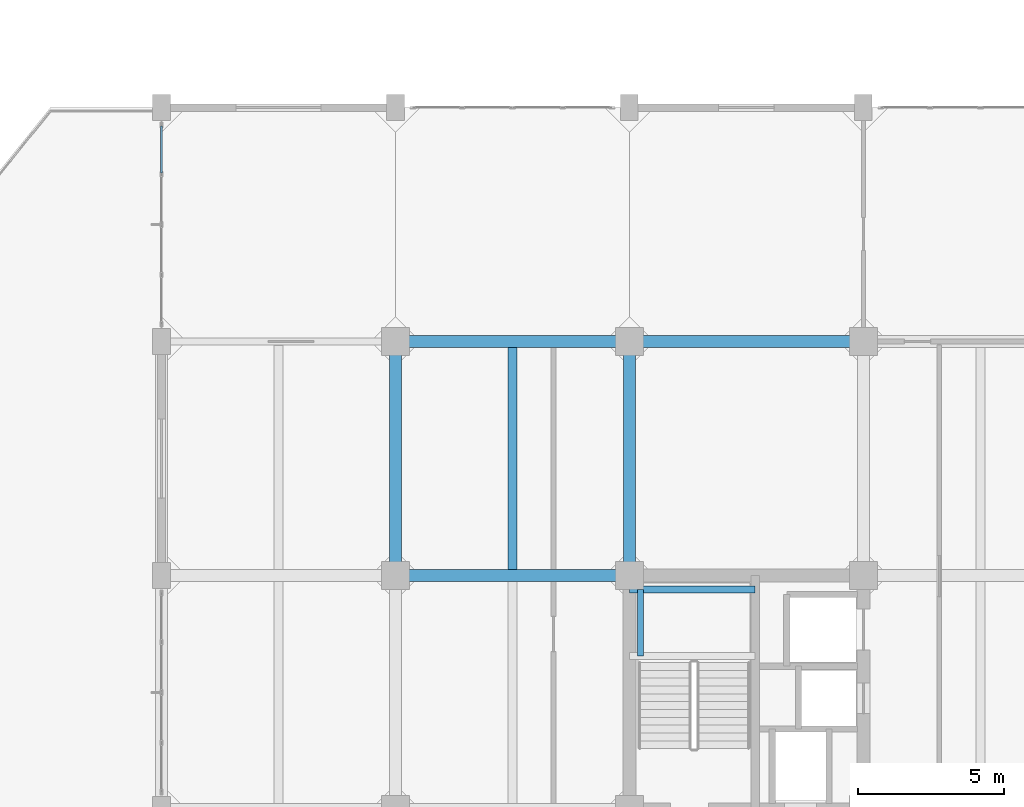
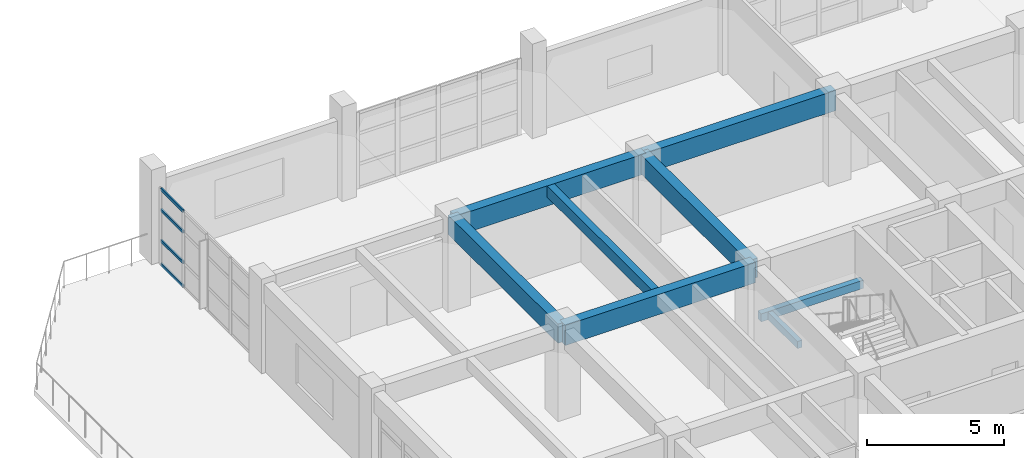
# One storey, part 10 of 35: 8 beams, 4 members, 1 element without a shape of its own.
"""IFC4 building model written with IfcOpenShell, lengths in metres."""

from ifc_helpers import new_model, si_unit, direction, frame, origin, origin_2d, place, context, subcontext, project, spatial, rectangle, hollow_rectangle, extrude, material, layer, layer_set, material_profile, profile_set, type_object, element, aggregate, save


model = new_model("IFC4")

# Units and contexts
model_context = context("Model", 3, precision=1e-05, world=origin(), true_north=direction((0.0, 1.0)))
body_context = subcontext(model_context, "Body", "Model", "MODEL_VIEW")
ifc_project = project(units=[si_unit("LENGTHUNIT", "METRE"), si_unit("AREAUNIT", "SQUARE_METRE"), si_unit("VOLUMEUNIT", "CUBIC_METRE"), si_unit("PLANEANGLEUNIT", "RADIAN"), si_unit("MASSUNIT", "GRAM", prefix="KILO")], contexts=[model_context])

# Site, building, storey
site_placement = place(None, origin())
site = spatial("IfcSite", under=ifc_project, at=site_placement, CompositionType="ELEMENT")
building_placement = place(site_placement, origin())
building = spatial("IfcBuilding", under=site, at=building_placement, Name="Canggui Botanical Conservatory", CompositionType="ELEMENT")
storey_placement = place(building_placement, frame((0.0, 0.0, 15.0)))
storey = spatial("IfcBuildingStorey", under=building, at=storey_placement, Name="L04", CompositionType="ELEMENT", Elevation=15.0)

# Beams
ifc_material_1 = material(Name="Concrete C35", Category="concrete")
ifc_material_profile_1 = material_profile(ifc_material_1, rectangle(XDim=0.300048828125, YDim=0.5, at=origin_2d()), Name="RB 300x500")
ifc_profile_set_1 = profile_set([ifc_material_profile_1], Name="Concrete C35")
beam_type_1 = type_object("IfcBeamType", Name="BM-JST02", PredefinedType="JOIST", material=ifc_profile_set_1)
beam_1_placement = place(storey_placement, frame((150.0, 66.205078125, 3.699951171875), z_axis=(0.0, 1.0, 0.0), x_axis=(-1.0, 0.0, 0.0)))
element("IfcBeam", 1, at=beam_1_placement, inside=storey, type_object=beam_type_1, Name="Secondary Floor Joist L04-2-6", PredefinedType="JOIST", context=body_context, shape_type="SweptSolid", body=[
    extrude(rectangle(XDim=0.300048828125, YDim=0.5, at=origin_2d()), origin(), (0.0, 0.0, 1.0), 7.58984375),
])
ifc_material_profile_2 = material_profile(ifc_material_1, rectangle(XDim=0.39990234375, YDim=0.89990234375, at=origin_2d()), Name="RB 400x900")
ifc_profile_set_2 = profile_set([ifc_material_profile_2], Name="Concrete C35")
beam_type_2 = type_object("IfcBeamType", Name="BM-KL07", PredefinedType="BEAM", material=ifc_profile_set_2)
for number, where, z_axis, x_axis, name in (
    (2, (146.0, 66.0, 3.5), (1.0, 0.0, 0.0), (0.0, 1.0, 0.0), "Frame Girder L04 Y66-2"),
    (3, (146.0, 74.0, 3.5), (1.0, 0.0, 0.0), (0.0, 1.0, 0.0), "Frame Girder L04 Y74-2"),
    (4, (154.0, 74.0, 3.5), (1.0, 0.0, 0.0), (0.0, 1.0, 0.0), "Frame Girder L04 Y74-3"),
):
    element("IfcBeam", number, at=place(storey_placement, frame(where, z_axis=z_axis, x_axis=x_axis)), inside=storey, type_object=beam_type_2, Name=name, PredefinedType="BEAM", context=body_context, shape_type="SweptSolid", body=[
        extrude(rectangle(XDim=0.39990234375, YDim=0.89990234375, at=origin_2d()), origin(), (0.0, 0.0, 1.0), 8.0),
    ])
ifc_material_profile_3 = material_profile(ifc_material_1, rectangle(XDim=0.39990234375, YDim=0.85009765625, at=origin_2d()), Name="RB 400x850")
ifc_profile_set_3 = profile_set([ifc_material_profile_3], Name="Concrete C35")
beam_type_3 = type_object("IfcBeamType", Name="BM-KL08", PredefinedType="BEAM", material=ifc_profile_set_3)
for number, where, z_axis, x_axis, name in (
    (5, (146.0, 66.0, 3.52490234375), (0.0, 1.0, 0.0), (-1.0, 0.0, 0.0), "Frame Girder L04 X146-6"),
    (6, (154.0, 66.0, 3.52490234375), (0.0, 1.0, 0.0), (-1.0, 0.0, 0.0), "Frame Girder L04 X154-6"),
):
    element("IfcBeam", number, at=place(storey_placement, frame(where, z_axis=z_axis, x_axis=x_axis)), inside=storey, type_object=beam_type_3, Name=name, PredefinedType="BEAM", context=body_context, shape_type="SweptSolid", body=[
        extrude(rectangle(XDim=0.39990234375, YDim=0.85009765625, at=origin_2d()), origin(), (0.0, 0.0, 1.0), 8.0),
    ])
ifc_material_profile_4 = material_profile(ifc_material_1, rectangle(XDim=0.239990234375, YDim=0.360107421875, at=origin_2d()), Name="RB 240x360")
ifc_profile_set_4 = profile_set([ifc_material_profile_4], Name="Concrete C35")
beam_type_4 = type_object("IfcBeamType", Name="BM-LIN01", PredefinedType="LINTEL", material=ifc_profile_set_4)
beam_2_placement = place(storey_placement, frame((154.0, 65.52001953125, 1.719970703125), z_axis=(1.0, 0.0, 0.0), x_axis=(0.0, 1.0, 0.0)))
element("IfcBeam", 7, at=beam_2_placement, inside=storey, type_object=beam_type_4, Name="ST-T2 Half-Landing Ledger Beam L04-1.2", PredefinedType="LINTEL", context=body_context, shape_type="SweptSolid", body=[
    extrude(rectangle(XDim=0.239990234375, YDim=0.360107421875, at=origin_2d()), origin(), (0.0, 0.0, 1.0), 4.300048828125),
])
ifc_material_profile_5 = material_profile(ifc_material_1, rectangle(XDim=0.199951171875, YDim=0.320068359375, at=origin_2d()), Name="RB 200x320")
ifc_profile_set_5 = profile_set([ifc_material_profile_5], Name="Concrete C35")
beam_type_5 = type_object("IfcBeamType", Name="BM-LIN02", PredefinedType="LINTEL", material=ifc_profile_set_5)
beam_3_placement = place(storey_placement, frame((154.3798828125, 63.24755859375, 1.719970703125), z_axis=(0.0, 1.0, 0.0), x_axis=(-1.0, 0.0, 0.0)))
element("IfcBeam", 8, at=beam_3_placement, inside=storey, type_object=beam_type_5, Name="ST-T2 Half-Landing Edge Ledger L04-1.3", PredefinedType="LINTEL", context=body_context, shape_type="SweptSolid", body=[
    extrude(rectangle(XDim=0.199951171875, YDim=0.320068359375, at=origin_2d()), origin(), (0.0, 0.0, 1.0), 2.2724609375),
])

# Curtain wall, members
ifc_material_2 = material(Name="Thermally Broken Aluminium", Category="aluminium")
ifc_layer = layer(ifc_material_2, 0.179931640625, Name="Thermally Broken Aluminium", Category="aluminium")
ifc_layer_set = layer_set([ifc_layer], Name="Thermally Broken Aluminium")
curtain_wall_type = type_object("IfcCurtainWallType", Name="CW-UNIT-A", PredefinedType="USERDEFINED", material=ifc_layer_set)
curtain_wall_placement = place(storey_placement, origin())
curtain_wall = element("IfcCurtainWall", 9, at=curtain_wall_placement, inside=storey, type_object=curtain_wall_type, Name="Facade Curtain Wall CW-TWR-L04-12", ObjectType="UNITISED CURTAIN WALL", PredefinedType="USERDEFINED")
ifc_material_profile_6 = material_profile(ifc_material_2, hollow_rectangle(XDim=0.06494140625, YDim=0.1298828125, WallThickness=0.00341796875, at=origin_2d()), Name="CWT 65x130x3.5")
ifc_profile_set_6 = profile_set([ifc_material_profile_6], Name="Thermally Broken Aluminium")
member_type = type_object("IfcMemberType", Name="CWT-01", PredefinedType="USERDEFINED", material=ifc_profile_set_6)
member_1_placement = place(storey_placement, frame((138.0, 79.7548828125, 0.032470703125), z_axis=(0.0, 1.0, 0.0), x_axis=(-1.0, 0.0, 0.0)))
member_1 = element("IfcMember", 10, at=member_1_placement, type_object=member_type, Name="CW-01 transom 4.1", ObjectType="TRANSOM", PredefinedType="USERDEFINED", context=body_context, shape_type="SweptSolid", body=[
    extrude(hollow_rectangle(XDim=0.06494140625, YDim=0.1298828125, WallThickness=0.00341796875, at=origin_2d()), origin(), (0.0, 0.0, 1.0), 1.615234375),
])
member_2_placement = place(storey_placement, frame((138.0, 79.7548828125, 1.087890625), z_axis=(0.0, 1.0, 0.0), x_axis=(-1.0, 0.0, 0.0)))
member_2 = element("IfcMember", 11, at=member_2_placement, type_object=member_type, Name="CW-01 transom 4.2", ObjectType="TRANSOM", PredefinedType="USERDEFINED", context=body_context, shape_type="SweptSolid", body=[
    extrude(hollow_rectangle(XDim=0.06494140625, YDim=0.1298828125, WallThickness=0.00341796875, at=origin_2d()), origin(), (0.0, 0.0, 1.0), 1.615234375),
])
member_3_placement = place(storey_placement, frame((138.0, 79.7548828125, 2.447998046875), z_axis=(0.0, 1.0, 0.0), x_axis=(-1.0, 0.0, 0.0)))
member_3 = element("IfcMember", 12, at=member_3_placement, type_object=member_type, Name="CW-01 transom 4.3", ObjectType="TRANSOM", PredefinedType="USERDEFINED", context=body_context, shape_type="SweptSolid", body=[
    extrude(hollow_rectangle(XDim=0.06494140625, YDim=0.1298828125, WallThickness=0.00341796875, at=origin_2d()), origin(), (0.0, 0.0, 1.0), 1.615234375),
])
member_4_placement = place(storey_placement, frame((138.0, 79.7548828125, 3.367431640625), z_axis=(0.0, 1.0, 0.0), x_axis=(-1.0, 0.0, 0.0)))
member_4 = element("IfcMember", 13, at=member_4_placement, type_object=member_type, Name="CW-01 transom 4.4", ObjectType="TRANSOM", PredefinedType="USERDEFINED", context=body_context, shape_type="SweptSolid", body=[
    extrude(hollow_rectangle(XDim=0.06494140625, YDim=0.1298828125, WallThickness=0.00341796875, at=origin_2d()), origin(), (0.0, 0.0, 1.0), 1.615234375),
])
aggregate(curtain_wall, [member_1, member_2, member_3, member_4])

save(model, "model.ifc")
